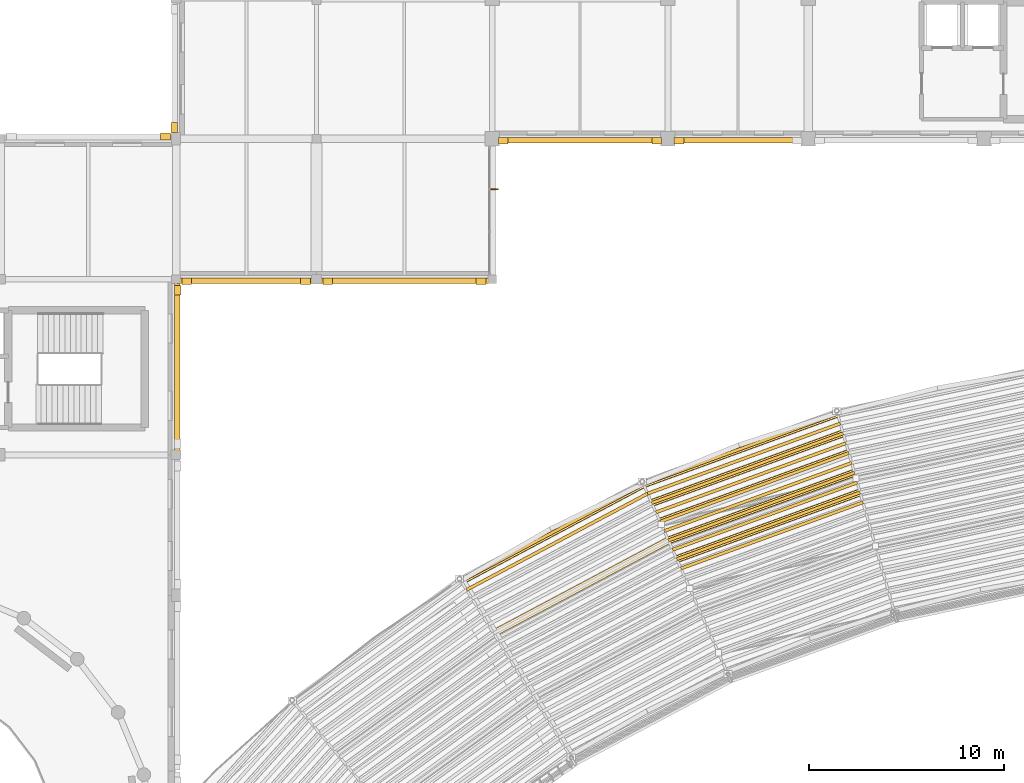
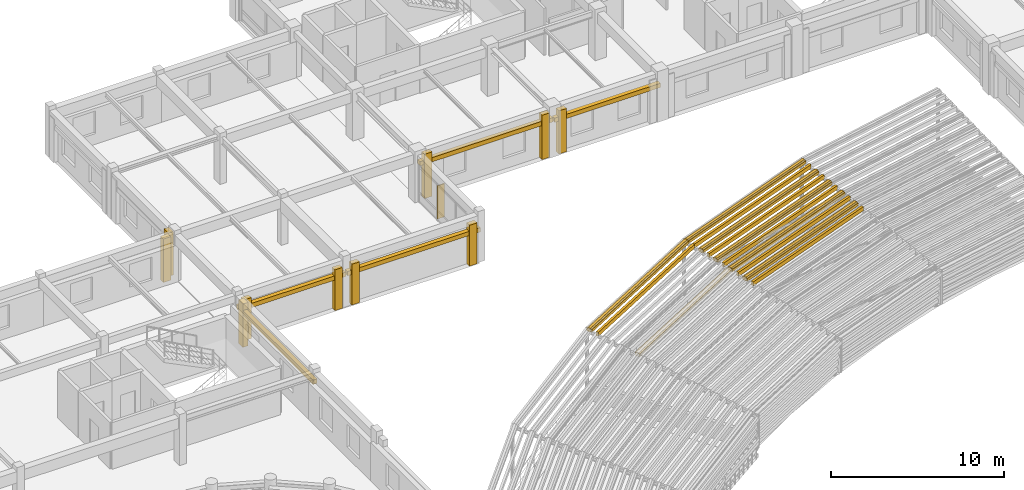
# One storey, part 71 of 74: 22 coverings, 19 shading devices.
"""IFC4 building model written with IfcOpenShell, lengths in metres."""

from ifc_helpers import new_model, si_unit, direction, frame, frame_2d, origin, place, context, subcontext, project, spatial, rectangle, extrude, material, layer, layer_set, type_object, element, save


model = new_model("IFC4")

# Units and contexts
model_context = context("Model", 3, precision=1e-05, world=origin(), true_north=direction((0.0, 1.0)))
body_context = subcontext(model_context, "Body", "Model", "MODEL_VIEW")
ifc_project = project(units=[si_unit("LENGTHUNIT", "METRE"), si_unit("AREAUNIT", "SQUARE_METRE"), si_unit("VOLUMEUNIT", "CUBIC_METRE"), si_unit("PLANEANGLEUNIT", "RADIAN"), si_unit("MASSUNIT", "GRAM", prefix="KILO")], contexts=[model_context])

# Site, building, storey
site_placement = place(None, origin())
site = spatial("IfcSite", under=ifc_project, at=site_placement, CompositionType="ELEMENT")
building_placement = place(site_placement, origin())
building = spatial("IfcBuilding", under=site, at=building_placement, Name="Clarverna Civic Hall", CompositionType="ELEMENT")
storey_placement = place(building_placement, frame((0.0, 0.0, 13.199951171875)))
storey = spatial("IfcBuildingStorey", under=building, at=storey_placement, Name="L03", CompositionType="ELEMENT", Elevation=13.199951171875)

# Coverings
ifc_material_1 = material(Name="Thermally Modified Teak Wood Slat Fascia Cladding", Category="wood")
ifc_layer_1 = layer(ifc_material_1, 0.080078125)
ifc_layer_set_1 = layer_set([ifc_layer_1], Name="Thermally Modified Teak Wood Slat Fascia Cladding")
covering_type_1 = type_object("IfcCoveringType", Name="CV-CL1", PredefinedType="CLADDING", material=ifc_layer_set_1)
covering_1_placement = place(storey_placement, frame((132.25048828125, 76.87451171875, 3.920166015625), z_axis=(0.0, 0.0, 1.0), x_axis=(-0.939687838595, -0.342033282001, 0.0)))
element("IfcCovering", 1, at=covering_1_placement, inside=storey, type_object=covering_type_1, Name="CV-CL1-230", PredefinedType="CLADDING", context=body_context, shape_type="SweptSolid", body=[
    extrude(rectangle(XDim=9.995849609375, YDim=0.340087890625, at=frame_2d((4.998046875, 0.0))), origin(), (0.0, 0.0, 1.0), 0.219970703125),
])
for number, where, z_axis, x_axis, name in (
    (2, (131.961181640625, 77.8837890625, 4.155029296875), (0.0, 0.0, 1.0), (-0.939692883625, -0.34201942118, 0.0), "CV-CL1-235"),
    (3, (122.43017578125, 74.414794921875, 4.155029296875), (0.0, 0.0, 1.0), (-0.882943937581, -0.469478437299, 0.0), "CV-CL1-236"),
):
    element("IfcCovering", number, at=place(storey_placement, frame(where, z_axis=z_axis, x_axis=x_axis)), inside=storey, type_object=covering_type_1, Name=name, PredefinedType="CLADDING", context=body_context, shape_type="SweptSolid", body=[
        extrude(rectangle(XDim=10.142578125, YDim=0.340087890625, at=frame_2d((5.0712890625, 0.0))), origin(), (0.0, 0.0, 1.0), 0.219970703125),
    ])
covering_2_placement = place(storey_placement, frame((131.671630859375, 78.89306640625, 4.39013671875), z_axis=(0.0, 0.0, 1.0), x_axis=(-0.939692233509, -0.342021207358, 0.0)))
element("IfcCovering", 4, at=covering_2_placement, inside=storey, type_object=covering_type_1, Name="CV-CL1-240", PredefinedType="CLADDING", context=body_context, shape_type="SweptSolid", body=[
    extrude(rectangle(XDim=10.2890625, YDim=0.340087890625, at=frame_2d((5.14453125, 0.0))), origin(), (0.0, 0.0, 1.0), 0.219970703125),
])
covering_3_placement = place(storey_placement, frame((131.38232421875, 79.90234375, 4.625), z_axis=(0.0, 0.0, 1.0), x_axis=(-0.939694338357, -0.3420154243, 0.0)))
element("IfcCovering", 5, at=covering_3_placement, inside=storey, type_object=covering_type_1, Name="CV-CL1-245", PredefinedType="CLADDING", context=body_context, shape_type="SweptSolid", body=[
    extrude(rectangle(XDim=10.435546875, YDim=0.340087890625, at=frame_2d((5.2177734375, 0.0))), origin(), (0.0, 0.0, 1.0), 0.219970703125),
])
covering_4_placement = place(storey_placement, frame((131.093017578125, 80.91162109375, 4.860107421875), z_axis=(0.0, 0.0, 1.0), x_axis=(-0.939699083473, -0.342002386718, 0.0)))
element("IfcCovering", 6, at=covering_4_placement, inside=storey, type_object=covering_type_1, Name="CV-CL1-250", PredefinedType="CLADDING", context=body_context, shape_type="SweptSolid", body=[
    extrude(rectangle(XDim=10.582275390625, YDim=0.340087890625, at=frame_2d((5.291015625, 0.0))), origin(), (0.0, 0.0, 1.0), 0.219970703125),
])
covering_5_placement = place(storey_placement, frame((121.14892578125, 77.29248046875, 4.860107421875), z_axis=(0.0, 0.0, 1.0), x_axis=(-0.882943001839, -0.469480197137, 0.0)))
element("IfcCovering", 7, at=covering_5_placement, inside=storey, type_object=covering_type_1, Name="CV-CL1-251", PredefinedType="CLADDING", context=body_context, shape_type="SweptSolid", body=[
    extrude(rectangle(XDim=10.58203125, YDim=0.340087890625, at=frame_2d((5.291015625, 0.0))), origin(), (0.0, 0.0, 1.0), 0.219970703125),
])
ifc_material_2 = material(Name="Montjuic Buff Limestone Ashlar Cladding", Category="masonry")
ifc_layer_2 = layer(ifc_material_2, 0.070068359375)
ifc_layer_set_2 = layer_set([ifc_layer_2], Name="Montjuic Buff Limestone Ashlar Cladding")
covering_type_2 = type_object("IfcCoveringType", Name="CV-CL2", PredefinedType="CLADDING", material=ifc_layer_set_2)
covering_6_placement = place(storey_placement, frame((97.114990234375, 95.320068359375, 0.0), z_axis=(0.0, 0.0, 1.0), x_axis=(0.0, 1.0, 0.0)))
element("IfcCovering", 8, at=covering_6_placement, inside=storey, type_object=covering_type_2, Name="CV-CL2-531", PredefinedType="CLADDING", context=body_context, shape_type="SweptSolid", body=[
    extrude(rectangle(XDim=0.5, YDim=0.340087890625, at=frame_2d((0.25, 0.0))), origin(), (0.0, 0.0, 1.0), 3.080078125),
])
covering_7_placement = place(storey_placement, frame((129.5400390625, 94.919921875, 2.2900390625), z_axis=(0.0, 0.0, 1.0), x_axis=(-1.0, 0.0, 0.0)))
element("IfcCovering", 9, at=covering_7_placement, inside=storey, type_object=covering_type_2, Name="CV-CL2-581", PredefinedType="CLADDING", context=body_context, shape_type="SweptSolid", body=[
    extrude(rectangle(XDim=7.080078125, YDim=0.280029296875, at=frame_2d((3.5400390625, 0.0))), origin(), (0.0, 0.0, 1.0), 0.300048828125),
])
covering_8_placement = place(storey_placement, frame((123.219970703125, 94.889892578125, 0.0), z_axis=(0.0, 0.0, 1.0), x_axis=(-1.0, 0.0, 0.0)))
element("IfcCovering", 10, at=covering_8_placement, inside=storey, type_object=covering_type_2, Name="CV-CL2-583", PredefinedType="CLADDING", context=body_context, shape_type="SweptSolid", body=[
    extrude(rectangle(XDim=0.5, YDim=0.340087890625, at=frame_2d((0.25, 0.0))), origin(), (0.0, 0.0, 1.0), 3.050048828125),
])
covering_9_placement = place(storey_placement, frame((122.340087890625, 94.919921875, 2.3701171875), z_axis=(0.0, 0.0, 1.0), x_axis=(-1.0, 0.0, 0.0)))
element("IfcCovering", 11, at=covering_9_placement, inside=storey, type_object=covering_type_2, Name="CV-CL2-584", PredefinedType="CLADDING", context=body_context, shape_type="SweptSolid", body=[
    extrude(rectangle(XDim=8.880126953125, YDim=0.280029296875, at=frame_2d((4.43994140625, 0.0))), origin(), (0.0, 0.0, 1.0), 0.300048828125),
])
for number, where, z_axis, x_axis, name in (
    (12, (122.080078125, 94.889892578125, 0.0), (0.0, 0.0, 1.0), (-1.0, 0.0, 0.0), "CV-CL2-585"),
    (13, (114.219970703125, 94.889892578125, 0.0), (0.0, 0.0, 1.0), (-1.0, 0.0, 0.0), "CV-CL2-586"),
):
    element("IfcCovering", number, at=place(storey_placement, frame(where, z_axis=z_axis, x_axis=x_axis)), inside=storey, type_object=covering_type_2, Name=name, PredefinedType="CLADDING", context=body_context, shape_type="SweptSolid", body=[
        extrude(rectangle(XDim=0.5, YDim=0.340087890625, at=frame_2d((0.25, 0.0))), origin(), (0.0, 0.0, 1.0), 3.130126953125),
    ])
covering_10_placement = place(storey_placement, frame((113.340087890625, 87.719970703125, 2.1201171875), z_axis=(0.0, 0.0, 1.0), x_axis=(-1.0, 0.0, 0.0)))
element("IfcCovering", 14, at=covering_10_placement, inside=storey, type_object=covering_type_2, Name="CV-CL2-587", PredefinedType="CLADDING", context=body_context, shape_type="SweptSolid", body=[
    extrude(rectangle(XDim=8.880126953125, YDim=0.280029296875, at=frame_2d((4.43994140625, 0.0))), origin(), (0.0, 0.0, 1.0), 0.300048828125),
])
for number, where, z_axis, x_axis, name in (
    (15, (113.080078125, 87.68994140625, 0.0), (0.0, 0.0, 1.0), (-1.0, 0.0, 0.0), "CV-CL2-588"),
    (16, (105.219970703125, 87.68994140625, 0.0), (0.0, 0.0, 1.0), (-1.0, 0.0, 0.0), "CV-CL2-589"),
):
    element("IfcCovering", number, at=place(storey_placement, frame(where, z_axis=z_axis, x_axis=x_axis)), inside=storey, type_object=covering_type_2, Name=name, PredefinedType="CLADDING", context=body_context, shape_type="SweptSolid", body=[
        extrude(rectangle(XDim=0.5, YDim=0.340087890625, at=frame_2d((0.25, 0.0))), origin(), (0.0, 0.0, 1.0), 2.880126953125),
    ])
covering_11_placement = place(storey_placement, frame((104.340087890625, 87.719970703125, 2.1201171875), z_axis=(0.0, 0.0, 1.0), x_axis=(-1.0, 0.0, 0.0)))
element("IfcCovering", 17, at=covering_11_placement, inside=storey, type_object=covering_type_2, Name="CV-CL2-590", PredefinedType="CLADDING", context=body_context, shape_type="SweptSolid", body=[
    extrude(rectangle(XDim=7.10498046875, YDim=0.280029296875, at=frame_2d((3.552490234375, 0.0))), origin(), (0.0, 0.0, 1.0), 0.300048828125),
])
for number, where, z_axis, x_axis, name in (
    (18, (104.080078125, 87.68994140625, 0.0), (0.0, 0.0, 1.0), (-1.0, 0.0, 0.0), "CV-CL2-591"),
    (19, (97.9951171875, 87.68994140625, 0.0), (0.0, 0.0, 1.0), (-1.0, 0.0, 0.0), "CV-CL2-592"),
):
    element("IfcCovering", number, at=place(storey_placement, frame(where, z_axis=z_axis, x_axis=x_axis)), inside=storey, type_object=covering_type_2, Name=name, PredefinedType="CLADDING", context=body_context, shape_type="SweptSolid", body=[
        extrude(rectangle(XDim=0.5, YDim=0.340087890625, at=frame_2d((0.25, 0.0))), origin(), (0.0, 0.0, 1.0), 2.880126953125),
    ])
covering_12_placement = place(storey_placement, frame((97.2548828125, 87.739990234375, 2.300048828125), z_axis=(0.0, 0.0, 1.0), x_axis=(0.0, -1.0, 0.0)))
element("IfcCovering", 20, at=covering_12_placement, inside=storey, type_object=covering_type_2, Name="CV-CL2-593", PredefinedType="CLADDING", context=body_context, shape_type="SweptSolid", body=[
    extrude(rectangle(XDim=8.8798828125, YDim=0.280029296875, at=frame_2d((4.43994140625, 0.0))), origin(), (0.0, 0.0, 1.0), 0.300048828125),
])
covering_13_placement = place(storey_placement, frame((97.284912109375, 87.47998046875, 0.0), z_axis=(0.0, 0.0, 1.0), x_axis=(0.0, -1.0, 0.0)))
element("IfcCovering", 21, at=covering_13_placement, inside=storey, type_object=covering_type_2, Name="CV-CL2-594", PredefinedType="CLADDING", context=body_context, shape_type="SweptSolid", body=[
    extrude(rectangle(XDim=0.5, YDim=0.340087890625, at=frame_2d((0.25, 0.0))), origin(), (0.0, 0.0, 1.0), 3.06005859375),
])
covering_14_placement = place(storey_placement, frame((96.405029296875, 95.110107421875, 0.0), z_axis=(0.0, 0.0, 1.0), x_axis=(1.0, 0.0, 0.0)))
element("IfcCovering", 22, at=covering_14_placement, inside=storey, type_object=covering_type_2, Name="CV-CL2-628", PredefinedType="CLADDING", context=body_context, shape_type="SweptSolid", body=[
    extrude(rectangle(XDim=0.5, YDim=0.340087890625, at=frame_2d((0.25, 0.0))), origin(), (0.0, 0.0, 1.0), 3.080078125),
])

# Shading devices
ifc_material_3 = material(Name="Anodised Bronze Architectural Solar Fin", Category="aluminium")
ifc_layer_3 = layer(ifc_material_3, 0.054931640625)
ifc_layer_set_3 = layer_set([ifc_layer_3], Name="Anodised Bronze Architectural Solar Fin")
shading_device_type_1 = type_object("IfcShadingDeviceType", Name="SD-FN1", PredefinedType="USERDEFINED", material=ifc_layer_set_3)
shading_device_1_placement = place(storey_placement, frame((113.22998046875, 92.400634765625, 0.150146484375), z_axis=(0.0, 0.0, 1.0), x_axis=(1.0, 0.0, 0.0)))
element("IfcShadingDevice", 23, at=shading_device_1_placement, inside=storey, type_object=shading_device_type_1, Name="SD-FN1-037", ObjectType="FIN", PredefinedType="USERDEFINED", context=body_context, shape_type="SweptSolid", body=[
    extrude(rectangle(XDim=0.47998046875, YDim=0.054931640625, at=frame_2d((0.239990234375, 0.0))), origin(), (0.0, 0.0, 1.0), 2.349853515625),
])
ifc_material_4 = material(Name="Thermally Modified Teak Wood Slats", Category="wood")
ifc_layer_4 = layer(ifc_material_4, 0.06494140625)
ifc_layer_set_4 = layer_set([ifc_layer_4], Name="Thermally Modified Teak Wood Slats")
shading_device_type_2 = type_object("IfcShadingDeviceType", Name="SD-WD1", PredefinedType="JALOUSIE", material=ifc_layer_set_4)
shading_device_2_placement = place(storey_placement, frame((132.395263671875, 76.36962890625, 3.782470703125), z_axis=(0.0, 0.0, 1.0), x_axis=(-0.939693531391, -0.342017641449, 0.0)))
element("IfcShadingDevice", 24, at=shading_device_2_placement, inside=storey, type_object=shading_device_type_2, Name="SD-WD1-389", PredefinedType="JALOUSIE", context=body_context, shape_type="SweptSolid", body=[
    extrude(rectangle(XDim=9.9228515625, YDim=0.159912109375, at=frame_2d((4.96142578125, 0.0))), origin(), (0.0, 0.0, 1.0), 0.280029296875),
])
shading_device_3_placement = place(storey_placement, frame((132.25048828125, 76.87451171875, 3.900146484375), z_axis=(0.0, 0.0, 1.0), x_axis=(-0.939687838595, -0.342033282001, 0.0)))
element("IfcShadingDevice", 25, at=shading_device_3_placement, inside=storey, type_object=shading_device_type_2, Name="SD-WD1-395", PredefinedType="JALOUSIE", context=body_context, shape_type="SweptSolid", body=[
    extrude(rectangle(XDim=9.995849609375, YDim=0.159912109375, at=frame_2d((4.998046875, 0.0))), origin(), (0.0, 0.0, 1.0), 0.27978515625),
])
shading_device_4_placement = place(storey_placement, frame((132.25048828125, 76.87451171875, 3.93994140625), z_axis=(0.0, 0.0, 1.0), x_axis=(-0.939687838595, -0.342033282001, 0.0)))
element("IfcShadingDevice", 26, at=shading_device_4_placement, inside=storey, type_object=shading_device_type_2, Name="SD-WD1-396", PredefinedType="JALOUSIE", context=body_context, shape_type="SweptSolid", body=[
    extrude(rectangle(XDim=9.995849609375, YDim=0.3798828125, at=frame_2d((4.998046875, 0.0))), origin(), (0.0, 0.0, 1.0), 0.18017578125),
])
shading_device_5_placement = place(storey_placement, frame((132.10595703125, 77.379150390625, 4.017578125), z_axis=(0.0, 0.0, 1.0), x_axis=(-0.939687901384, -0.342033109498, 0.0)))
element("IfcShadingDevice", 27, at=shading_device_5_placement, inside=storey, type_object=shading_device_type_2, Name="SD-WD1-404", PredefinedType="JALOUSIE", context=body_context, shape_type="SweptSolid", body=[
    extrude(rectangle(XDim=10.069580078125, YDim=0.159912109375, at=frame_2d((5.03466796875, 0.0))), origin(), (0.0, 0.0, 1.0), 0.280029296875),
])
shading_device_6_placement = place(storey_placement, frame((131.961181640625, 77.8837890625, 4.135009765625), z_axis=(0.0, 0.0, 1.0), x_axis=(-0.939692883625, -0.34201942118, 0.0)))
element("IfcShadingDevice", 28, at=shading_device_6_placement, inside=storey, type_object=shading_device_type_2, Name="SD-WD1-410", PredefinedType="JALOUSIE", context=body_context, shape_type="SweptSolid", body=[
    extrude(rectangle(XDim=10.142578125, YDim=0.159912109375, at=frame_2d((5.0712890625, 0.0))), origin(), (0.0, 0.0, 1.0), 0.280029296875),
])
shading_device_7_placement = place(storey_placement, frame((131.961181640625, 77.8837890625, 4.175048828125), z_axis=(0.0, 0.0, 1.0), x_axis=(-0.939692883625, -0.34201942118, 0.0)))
element("IfcShadingDevice", 29, at=shading_device_7_placement, inside=storey, type_object=shading_device_type_2, Name="SD-WD1-411", PredefinedType="JALOUSIE", context=body_context, shape_type="SweptSolid", body=[
    extrude(rectangle(XDim=10.142578125, YDim=0.3798828125, at=frame_2d((5.0712890625, 0.0))), origin(), (0.0, 0.0, 1.0), 0.179931640625),
])
shading_device_8_placement = place(storey_placement, frame((131.81640625, 78.388427734375, 4.25244140625), z_axis=(0.0, 0.0, 1.0), x_axis=(-0.939687317925, -0.342034712465, 0.0)))
element("IfcShadingDevice", 30, at=shading_device_8_placement, inside=storey, type_object=shading_device_type_2, Name="SD-WD1-419", PredefinedType="JALOUSIE", context=body_context, shape_type="SweptSolid", body=[
    extrude(rectangle(XDim=10.2158203125, YDim=0.159912109375, at=frame_2d((5.10791015625, 0.0))), origin(), (0.0, 0.0, 1.0), 0.280029296875),
])
shading_device_9_placement = place(storey_placement, frame((131.671630859375, 78.89306640625, 4.3701171875), z_axis=(0.0, 0.0, 1.0), x_axis=(-0.939692233509, -0.342021207358, 0.0)))
element("IfcShadingDevice", 31, at=shading_device_9_placement, inside=storey, type_object=shading_device_type_2, Name="SD-WD1-425", PredefinedType="JALOUSIE", context=body_context, shape_type="SweptSolid", body=[
    extrude(rectangle(XDim=10.2890625, YDim=0.159912109375, at=frame_2d((5.14453125, 0.0))), origin(), (0.0, 0.0, 1.0), 0.280029296875),
])
shading_device_10_placement = place(storey_placement, frame((131.671630859375, 78.89306640625, 4.41015625), z_axis=(0.0, 0.0, 1.0), x_axis=(-0.939692233509, -0.342021207358, 0.0)))
element("IfcShadingDevice", 32, at=shading_device_10_placement, inside=storey, type_object=shading_device_type_2, Name="SD-WD1-426", PredefinedType="JALOUSIE", context=body_context, shape_type="SweptSolid", body=[
    extrude(rectangle(XDim=10.2890625, YDim=0.3798828125, at=frame_2d((5.14453125, 0.0))), origin(), (0.0, 0.0, 1.0), 0.179931640625),
])
shading_device_11_placement = place(storey_placement, frame((131.527099609375, 79.397705078125, 4.487548828125), z_axis=(0.0, 0.0, 1.0), x_axis=(-0.939692263337, -0.342021125407, 0.0)))
element("IfcShadingDevice", 33, at=shading_device_11_placement, inside=storey, type_object=shading_device_type_2, Name="SD-WD1-434", PredefinedType="JALOUSIE", context=body_context, shape_type="SweptSolid", body=[
    extrude(rectangle(XDim=10.362548828125, YDim=0.159912109375, at=frame_2d((5.18115234375, 0.0))), origin(), (0.0, 0.0, 1.0), 0.280029296875),
])
shading_device_12_placement = place(storey_placement, frame((131.38232421875, 79.90234375, 4.60498046875), z_axis=(0.0, 0.0, 1.0), x_axis=(-0.939694338357, -0.3420154243, 0.0)))
element("IfcShadingDevice", 34, at=shading_device_12_placement, inside=storey, type_object=shading_device_type_2, Name="SD-WD1-440", PredefinedType="JALOUSIE", context=body_context, shape_type="SweptSolid", body=[
    extrude(rectangle(XDim=10.435546875, YDim=0.159912109375, at=frame_2d((5.2177734375, 0.0))), origin(), (0.0, 0.0, 1.0), 0.280029296875),
])
shading_device_13_placement = place(storey_placement, frame((131.38232421875, 79.90234375, 4.64501953125), z_axis=(0.0, 0.0, 1.0), x_axis=(-0.939694338357, -0.3420154243, 0.0)))
element("IfcShadingDevice", 35, at=shading_device_13_placement, inside=storey, type_object=shading_device_type_2, Name="SD-WD1-441", PredefinedType="JALOUSIE", context=body_context, shape_type="SweptSolid", body=[
    extrude(rectangle(XDim=10.435546875, YDim=0.3798828125, at=frame_2d((5.2177734375, 0.0))), origin(), (0.0, 0.0, 1.0), 0.179931640625),
])
for number, where, z_axis, x_axis, name in (
    (36, (131.237548828125, 80.406982421875, 4.72265625), (0.0, 0.0, 1.0), (-0.93969163545, -0.342022850502, 0.0), "SD-WD1-449"),
    (37, (121.362548828125, 76.812744140625, 4.72265625), (0.0, 0.0, 1.0), (-0.882949024453, -0.46946887034, 0.0), "SD-WD1-450"),
):
    element("IfcShadingDevice", number, at=place(storey_placement, frame(where, z_axis=z_axis, x_axis=x_axis)), inside=storey, type_object=shading_device_type_2, Name=name, PredefinedType="JALOUSIE", context=body_context, shape_type="SweptSolid", body=[
        extrude(rectangle(XDim=10.5087890625, YDim=0.159912109375, at=frame_2d((5.25439453125, 0.0))), origin(), (0.0, 0.0, 1.0), 0.27978515625),
    ])
shading_device_14_placement = place(storey_placement, frame((131.093017578125, 80.91162109375, 4.840087890625), z_axis=(0.0, 0.0, 1.0), x_axis=(-0.939699083473, -0.342002386718, 0.0)))
element("IfcShadingDevice", 38, at=shading_device_14_placement, inside=storey, type_object=shading_device_type_2, Name="SD-WD1-455", PredefinedType="JALOUSIE", context=body_context, shape_type="SweptSolid", body=[
    extrude(rectangle(XDim=10.582275390625, YDim=0.159912109375, at=frame_2d((5.291015625, 0.0))), origin(), (0.0, 0.0, 1.0), 0.280029296875),
])
shading_device_15_placement = place(storey_placement, frame((131.093017578125, 80.91162109375, 4.880126953125), z_axis=(0.0, 0.0, 1.0), x_axis=(-0.939699083473, -0.342002386718, 0.0)))
element("IfcShadingDevice", 39, at=shading_device_15_placement, inside=storey, type_object=shading_device_type_2, Name="SD-WD1-456", PredefinedType="JALOUSIE", context=body_context, shape_type="SweptSolid", body=[
    extrude(rectangle(XDim=10.582275390625, YDim=0.3798828125, at=frame_2d((5.291015625, 0.0))), origin(), (0.0, 0.0, 1.0), 0.179931640625),
])
shading_device_16_placement = place(storey_placement, frame((121.14892578125, 77.29248046875, 4.840087890625), z_axis=(0.0, 0.0, 1.0), x_axis=(-0.882943001839, -0.469480197137, 0.0)))
element("IfcShadingDevice", 40, at=shading_device_16_placement, inside=storey, type_object=shading_device_type_2, Name="SD-WD1-457", PredefinedType="JALOUSIE", context=body_context, shape_type="SweptSolid", body=[
    extrude(rectangle(XDim=10.58203125, YDim=0.159912109375, at=frame_2d((5.291015625, 0.0))), origin(), (0.0, 0.0, 1.0), 0.280029296875),
])
shading_device_17_placement = place(storey_placement, frame((121.14892578125, 77.29248046875, 4.880126953125), z_axis=(0.0, 0.0, 1.0), x_axis=(-0.882943001839, -0.469480197137, 0.0)))
element("IfcShadingDevice", 41, at=shading_device_17_placement, inside=storey, type_object=shading_device_type_2, Name="SD-WD1-458", PredefinedType="JALOUSIE", context=body_context, shape_type="SweptSolid", body=[
    extrude(rectangle(XDim=10.58203125, YDim=0.3798828125, at=frame_2d((5.291015625, 0.0))), origin(), (0.0, 0.0, 1.0), 0.179931640625),
])

save(model, "model.ifc")
